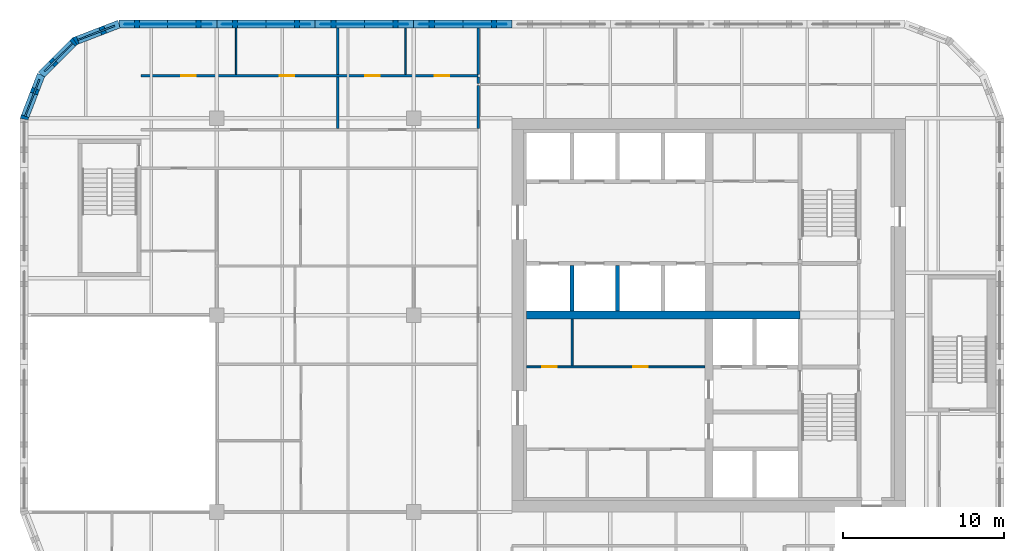
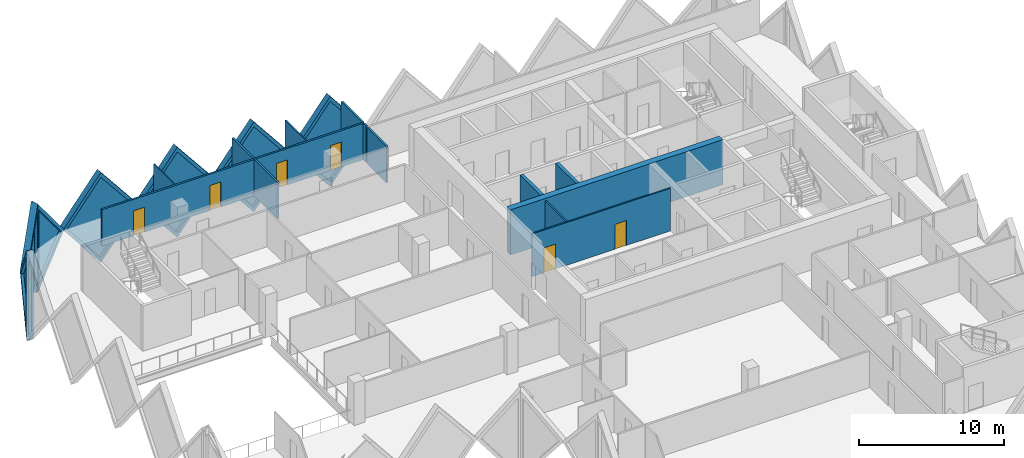
# One storey, part 8 of 12: 20 walls, 7 plates, 6 doors, 13 openings.
"""IFC4 building model written with IfcOpenShell, lengths in metres."""

from ifc_helpers import new_model, si_unit, direction, frame, frame_2d, origin, place, context, subcontext, project, spatial, polyline, rectangle, outline, extrude, faceted_brep, source, transform, mapped, material, layer, layer_set, type_object, element, fill, save


model = new_model("IFC4")

# Units and contexts
model_context = context("Model", 3, precision=1e-05, world=origin(), true_north=direction((0.0, 1.0)))
body_context = subcontext(model_context, "Body", "Model", "MODEL_VIEW")
ifc_project = project(units=[si_unit("LENGTHUNIT", "METRE"), si_unit("AREAUNIT", "SQUARE_METRE"), si_unit("VOLUMEUNIT", "CUBIC_METRE"), si_unit("PLANEANGLEUNIT", "RADIAN"), si_unit("MASSUNIT", "GRAM", prefix="KILO")], contexts=[model_context])

# Site, building, storey
site_placement = place(None, origin())
site = spatial("IfcSite", under=ifc_project, at=site_placement, CompositionType="ELEMENT")
building_placement = place(site_placement, origin())
building = spatial("IfcBuilding", under=site, at=building_placement, Name="Tessera Gate Towers", CompositionType="ELEMENT")
storey_placement = place(building_placement, frame((0.0, 0.0, 139.199951171875)))
storey = spatial("IfcBuildingStorey", under=building, at=storey_placement, Name="L34", CompositionType="ELEMENT", Elevation=139.199951171875)

# Walls
ifc_material_1 = material(Name="Concrete C40/50", Category="concrete")
ifc_layer_1 = layer(ifc_material_1, 0.25)
ifc_layer_set_1 = layer_set([ifc_layer_1], Name="CORE ENCLOSURE WALL 250")
wall_type_1 = type_object("IfcWallType", Name="CORE ENCLOSURE WALL 250", PredefinedType="SOLIDWALL", material=ifc_layer_set_1)
for number, where, z_axis, x_axis, name in (
    (1, (34.22509765625, 36.85009765625, 0.0), (0.0, 0.0, 1.0), (0.0, 1.0, 0.0), "L34 shaft and stair enclosure wall"),
    (2, (37.050048828125, 36.85009765625, 0.0), (0.0, 0.0, 1.0), (0.0, 1.0, 0.0), "L34 shaft and stair enclosure wall"),
):
    element("IfcWall", number, at=place(storey_placement, frame(where, z_axis=z_axis, x_axis=x_axis)), inside=storey, type_object=wall_type_1, Name=name, PredefinedType="SOLIDWALL", context=body_context, shape_type="SweptSolid", body=[
        extrude(rectangle(XDim=2.824951171875, YDim=0.25, at=frame_2d((1.41259765625, 0.0))), origin(), (0.0, 0.0, 1.0), 3.800048828125),
    ])

# Wall, openings, doors
ifc_material_2 = material(Name="Gypsum board on steel studs", Category="steel")
ifc_layer_2 = layer(ifc_material_2, 0.1201171875)
ifc_layer_set_2 = layer_set([ifc_layer_2], Name="CORE PARTITION 120")
wall_type_2 = type_object("IfcWallType", Name="CORE PARTITION 120", PredefinedType="PARTITIONING", material=ifc_layer_set_2)
wall_1_placement = place(storey_placement, frame((31.39990234375, 33.39990234375, 0.0), z_axis=(0.0, 0.0, 1.0), x_axis=(1.0, 0.0, 0.0)))
wall_1 = element("IfcWall", 3, at=wall_1_placement, inside=storey, type_object=wall_type_2, Name="L34 core partition", PredefinedType="PARTITIONING", context=body_context, shape_type="SweptSolid", body=[
    extrude(rectangle(XDim=11.050048828125, YDim=0.1201171875, at=frame_2d((5.52490234375, 0.0))), origin(), (0.0, 0.0, 1.0), 3.60009765625),
])
shared_shape_1 = source(origin(), body_context, "Body", "SweptSolid", [
    extrude(rectangle(XDim=0.89990234375, YDim=2.10009765625, at=frame_2d((0.449951171875, 1.050048828125))), frame((0.0, 0.070068359375, 0.0), z_axis=(0.0, -1.0, 0.0), x_axis=(1.0, 0.0, 0.0)), (0.0, 0.0, 1.0), 0.14013671875),
])
opening_1_placement = place(wall_1_placement, frame((0.96240234375, 0.0, 0.0)))
opening_1 = element("IfcOpeningElement", 4, at=opening_1_placement, cuts=wall_1, Name="Opening RD-T1-23-07", PredefinedType="OPENING", context=body_context, shape_type="MappedRepresentation", body=[
    mapped(shared_shape_1, transform((0.0, 0.0, 0.0), scale=1.0)),
])
opening_2_placement = place(wall_1_placement, frame((6.612548828125, 0.0, 0.0)))
opening_2 = element("IfcOpeningElement", 5, at=opening_2_placement, cuts=wall_1, Name="Opening RD-T1-23-08", PredefinedType="OPENING", context=body_context, shape_type="MappedRepresentation", body=[
    mapped(shared_shape_1, transform((0.0, 0.0, 0.0), scale=1.0)),
])
ifc_material_3 = material(Name="Hollow steel fire door", Category="steel")
door_type_1 = type_object("IfcDoorType", Name="CORE DOOR RD 900x2100", OperationType="NOTDEFINED", PredefinedType="DOOR", material=ifc_material_3)
shared_shape_2 = source(origin(), body_context, "Body", "SweptSolid", [
    extrude(rectangle(XDim=0.89990234375, YDim=2.10009765625, at=frame_2d((0.449951171875, 1.050048828125))), frame((0.0, 0.02490234375, 0.0), z_axis=(0.0, -1.0, 0.0), x_axis=(1.0, 0.0, 0.0)), (0.0, 0.0, 1.0), 0.050048828125),
])
door_1_placement = place(opening_1_placement, origin())
door_1 = element("IfcDoor", 6, at=door_1_placement, inside=storey, type_object=door_type_1, Name="Core room door", OperationType="SINGLE_SWING_LEFT", OverallHeight=2.10009765625, OverallWidth=0.89990234375, PredefinedType="DOOR", context=body_context, shape_type="MappedRepresentation", body=[
    mapped(shared_shape_2, transform((0.0, 0.0, 0.0), scale=1.0)),
])
fill(opening_1, door_1)
door_2_placement = place(opening_2_placement, origin())
door_2 = element("IfcDoor", 7, at=door_2_placement, inside=storey, type_object=door_type_1, Name="Core room door", OperationType="SINGLE_SWING_RIGHT", OverallHeight=2.10009765625, OverallWidth=0.89990234375, PredefinedType="DOOR", context=body_context, shape_type="MappedRepresentation", body=[
    mapped(shared_shape_2, transform((0.0, 0.0, 0.0), scale=1.0)),
])
fill(opening_2, door_2)

# Walls
wall_2_placement = place(storey_placement, frame((34.22509765625, 33.4599609375, 0.0), z_axis=(0.0, 0.0, 1.0), x_axis=(0.0, 1.0, 0.0)))
element("IfcWall", 8, at=wall_2_placement, inside=storey, type_object=wall_type_2, Name="L34 core partition", PredefinedType="PARTITIONING", context=body_context, shape_type="SweptSolid", body=[
    extrude(rectangle(XDim=2.89013671875, YDim=0.1201171875, at=frame_2d((1.445068359375, 0.0))), origin(), (0.0, 0.0, 1.0), 3.60009765625),
])
ifc_material_4 = material(Name="Concrete C60/75", Category="concrete")
ifc_layer_3 = layer(ifc_material_4, 0.5)
ifc_layer_set_3 = layer_set([ifc_layer_3], Name="CORE SPINE WALL 500 C60/75")
wall_type_3 = type_object("IfcWallType", Name="CORE SPINE WALL 500 C60/75", PredefinedType="SHEAR", material=ifc_layer_set_3)
wall_3_placement = place(storey_placement, frame((31.39990234375, 36.60009765625, 0.0), z_axis=(0.0, 0.0, 1.0), x_axis=(1.0, 0.0, 0.0)))
element("IfcWall", 9, at=wall_3_placement, inside=storey, type_object=wall_type_3, Name="Core wall spine L34", PredefinedType="SHEAR", context=body_context, shape_type="SweptSolid", body=[
    extrude(rectangle(XDim=16.9501953125, YDim=0.5, at=frame_2d((8.47509765625, 0.0))), origin(), (0.0, 0.0, 1.0), 3.800048828125),
])
ifc_material_5 = material(Name="Gypsum board on steel studs, mineral wool", Category="steel")
ifc_layer_4 = layer(ifc_material_5, 0.14990234375)
ifc_layer_set_4 = layer_set([ifc_layer_4], Name="CORRIDOR WALL 150")
wall_type_4 = type_object("IfcWallType", Name="CORRIDOR WALL 150", PredefinedType="PARTITIONING", material=ifc_layer_set_4)
wall_4_placement = place(storey_placement, frame((28.39990234375, 48.176025390625, 0.0), z_axis=(0.0, 0.0, 1.0), x_axis=(0.0, 1.0, 0.0)))
element("IfcWall", 10, at=wall_4_placement, inside=storey, type_object=wall_type_4, Name="T1-L34-PW-049", PredefinedType="PARTITIONING", context=body_context, shape_type="SweptSolid", body=[
    extrude(rectangle(XDim=2.64794921875, YDim=0.14990234375, at=frame_2d((1.323974609375, 0.0))), origin(), (0.0, 0.0, 1.0), 3.067138671875),
])
ifc_material_6 = material(Name="Gypsum board on steel studs", Category="steel")
ifc_layer_5 = layer(ifc_material_6, 0.10009765625)
ifc_layer_set_5 = layer_set([ifc_layer_5], Name="PARTITION 100")
wall_type_5 = type_object("IfcWallType", Name="PARTITION 100", PredefinedType="PARTITIONING", material=ifc_layer_set_5)
for number, where, z_axis, x_axis, name in (
    (11, (13.39404296875, 51.52587890625, 0.0), (0.0, 0.0, 1.0), (0.0, 1.0, 0.0), "T1-L34-PW-054"),
    (12, (23.903076171875, 51.52587890625, 0.0), (0.0, 0.0, 1.0), (0.0, 1.0, 0.0), "T1-L34-PW-056"),
):
    element("IfcWall", number, at=place(storey_placement, frame(where, z_axis=z_axis, x_axis=x_axis)), inside=storey, type_object=wall_type_5, Name=name, PredefinedType="PARTITIONING", context=body_context, shape_type="SweptSolid", body=[
        extrude(rectangle(XDim=2.8740234375, YDim=0.10009765625, at=frame_2d((1.43701171875, 0.0))), origin(), (0.0, 0.0, 1.0), 3.067138671875),
    ])
ifc_material_7 = material(Name="Gypsum board on steel studs, mineral wool", Category="steel")
ifc_layer_6 = layer(ifc_material_7, 0.14990234375)
ifc_layer_set_6 = layer_set([ifc_layer_6], Name="TENANCY WALL 150")
wall_type_6 = type_object("IfcWallType", Name="TENANCY WALL 150", PredefinedType="PARTITIONING", material=ifc_layer_set_6)
wall_5_placement = place(storey_placement, frame((19.699951171875, 48.176025390625, 0.0), z_axis=(0.0, 0.0, 1.0), x_axis=(0.0, 1.0, 0.0)))
element("IfcWall", 13, at=wall_5_placement, inside=storey, type_object=wall_type_6, Name="T1-L34-PW-048", PredefinedType="PARTITIONING", context=body_context, shape_type="SweptSolid", body=[
    extrude(rectangle(XDim=3.197998046875, YDim=0.14990234375, at=frame_2d((1.59912109375, 0.0))), origin(), (0.0, 0.0, 1.0), 3.067138671875),
])
wall_6_placement = place(storey_placement, frame((28.39990234375, 50.97607421875, 0.0), z_axis=(0.0, 0.0, 1.0), x_axis=(0.0, 1.0, 0.0)))
element("IfcWall", 14, at=wall_6_placement, inside=storey, type_object=wall_type_6, Name="T1-L34-PW-051", PredefinedType="PARTITIONING", context=body_context, shape_type="SweptSolid", body=[
    extrude(rectangle(XDim=0.39794921875, YDim=0.14990234375, at=frame_2d((0.198974609375, 0.0))), origin(), (0.0, 0.0, 1.0), 3.067138671875),
])

# Wall, openings, doors
wall_7_placement = place(storey_placement, frame((7.5, 51.449951171875, 0.0), z_axis=(0.0, 0.0, 1.0), x_axis=(1.0, 0.0, 0.0)))
wall_7 = element("IfcWall", 15, at=wall_7_placement, inside=storey, type_object=wall_type_6, Name="T1-L34-PW-053", PredefinedType="PARTITIONING", context=body_context, shape_type="SweptSolid", body=[
    extrude(rectangle(XDim=20.89990234375, YDim=0.14990234375, at=frame_2d((10.449951171875, 0.0))), origin(), (0.0, 0.0, 1.0), 3.067138671875),
])
shared_shape_3 = source(origin(), body_context, "Body", "SweptSolid", [
    extrude(rectangle(XDim=0.89990234375, YDim=2.10009765625, at=frame_2d((0.449951171875, 1.050048828125))), frame((0.0, 0.0849609375, 0.0), z_axis=(0.0, -1.0, 0.0), x_axis=(1.0, 0.0, 0.0)), (0.0, 0.0, 1.0), 0.169921875),
])
opening_3_placement = place(wall_7_placement, frame((13.90087890625, 0.0, 0.0)))
opening_3 = element("IfcOpeningElement", 16, at=opening_3_placement, cuts=wall_7, Name="Opening D190-A12-03", PredefinedType="OPENING", context=body_context, shape_type="MappedRepresentation", body=[
    mapped(shared_shape_3, transform((0.0, 0.0, 0.0), scale=1.0)),
])
opening_4_placement = place(wall_7_placement, frame((18.202880859375, 0.0, 0.0)))
opening_4 = element("IfcOpeningElement", 17, at=opening_4_placement, cuts=wall_7, Name="Opening D190-A12-06", PredefinedType="OPENING", context=body_context, shape_type="MappedRepresentation", body=[
    mapped(shared_shape_3, transform((0.0, 0.0, 0.0), scale=1.0)),
])
opening_5_placement = place(wall_7_placement, frame((2.5, 0.0, 0.0)))
opening_5 = element("IfcOpeningElement", 18, at=opening_5_placement, cuts=wall_7, Name="Opening D190-A12-11", PredefinedType="OPENING", context=body_context, shape_type="MappedRepresentation", body=[
    mapped(shared_shape_3, transform((0.0, 0.0, 0.0), scale=1.0)),
])
opening_6_placement = place(wall_7_placement, frame((8.59375, 0.0, 0.0)))
opening_6 = element("IfcOpeningElement", 19, at=opening_6_placement, cuts=wall_7, Name="Opening D190-A12-13", PredefinedType="OPENING", context=body_context, shape_type="MappedRepresentation", body=[
    mapped(shared_shape_3, transform((0.0, 0.0, 0.0), scale=1.0)),
])
ifc_material_8 = material(Name="Timber door leaf in steel frame", Category="steel")
door_type_2 = type_object("IfcDoorType", Name="INTERNAL DOOR 900 NOT RATED", OperationType="NOTDEFINED", PredefinedType="DOOR", material=ifc_material_8)
door_3_placement = place(opening_3_placement, origin())
door_3 = element("IfcDoor", 20, at=door_3_placement, inside=storey, type_object=door_type_2, Name="T1-L34-PD-004", OperationType="SINGLE_SWING_LEFT", OverallHeight=2.10009765625, OverallWidth=0.89990234375, PredefinedType="DOOR", context=body_context, shape_type="MappedRepresentation", body=[
    mapped(shared_shape_2, transform((0.0, 0.0, 0.0), scale=1.0)),
])
fill(opening_3, door_3)
door_4_placement = place(opening_4_placement, origin())
door_4 = element("IfcDoor", 21, at=door_4_placement, inside=storey, type_object=door_type_2, Name="T1-L34-PD-007", OperationType="SINGLE_SWING_LEFT", OverallHeight=2.10009765625, OverallWidth=0.89990234375, PredefinedType="DOOR", context=body_context, shape_type="MappedRepresentation", body=[
    mapped(shared_shape_2, transform((0.0, 0.0, 0.0), scale=1.0)),
])
fill(opening_4, door_4)
door_5_placement = place(opening_5_placement, origin())
door_5 = element("IfcDoor", 22, at=door_5_placement, inside=storey, type_object=door_type_2, Name="T1-L34-PD-016", OperationType="SINGLE_SWING_LEFT", OverallHeight=2.10009765625, OverallWidth=0.89990234375, PredefinedType="DOOR", context=body_context, shape_type="MappedRepresentation", body=[
    mapped(shared_shape_2, transform((0.0, 0.0, 0.0), scale=1.0)),
])
fill(opening_5, door_5)
door_6_placement = place(opening_6_placement, origin())
door_6 = element("IfcDoor", 23, at=door_6_placement, inside=storey, type_object=door_type_2, Name="T1-L34-PD-022", OperationType="SINGLE_SWING_LEFT", OverallHeight=2.10009765625, OverallWidth=0.89990234375, PredefinedType="DOOR", context=body_context, shape_type="MappedRepresentation", body=[
    mapped(shared_shape_2, transform((0.0, 0.0, 0.0), scale=1.0)),
])
fill(opening_6, door_6)

# Walls
for number, where, z_axis, x_axis, name in (
    (24, (19.699951171875, 51.52587890625, 0.0), (0.0, 0.0, 1.0), (0.0, 1.0, 0.0), "T1-L34-PW-055"),
    (25, (28.39990234375, 51.52587890625, 0.0), (0.0, 0.0, 1.0), (0.0, 1.0, 0.0), "T1-L34-PW-057"),
):
    element("IfcWall", number, at=place(storey_placement, frame(where, z_axis=z_axis, x_axis=x_axis)), inside=storey, type_object=wall_type_6, Name=name, PredefinedType="PARTITIONING", context=body_context, shape_type="SweptSolid", body=[
        extrude(rectangle(XDim=2.8740234375, YDim=0.14990234375, at=frame_2d((1.43701171875, 0.0))), origin(), (0.0, 0.0, 1.0), 3.067138671875),
    ])

# Wall, opening, plate
ifc_material_9 = material(Name="Precast concrete C60/75 white", Category="concrete")
ifc_layer_7 = layer(ifc_material_9, 0.5)
ifc_layer_set_7 = layer_set([ifc_layer_7], Name="TS1 tessera")
wall_type_7 = type_object("IfcWallType", Name="TS1 tessera", PredefinedType="SOLIDWALL", material=ifc_layer_set_7)
shared_shape_4 = source(origin(), body_context, "Body", "Brep", [
    faceted_brep([(3.050048828125, -0.25, 0.0), (6.099853515625, -0.25, 3.7998046875), (6.099853515625, -0.25, 3.80029296875), (3.050048828125, -0.25, 7.60009765625), (0.0, -0.25, 3.800048828125), (0.0, 0.25, 3.800048828125), (3.050048828125, 0.25, 7.60009765625), (6.099853515625, 0.25, 3.80029296875), (6.099853515625, 0.25, 3.7998046875), (3.050048828125, 0.25, 0.0)], [[[0, 1, 2, 3, 4]], [[5, 6, 7, 8, 9]], [[9, 8, 1, 0]], [[7, 6, 3, 2]], [[6, 5, 4, 3]], [[5, 9, 0, 4]], [[1, 8, 7, 2]]]),
])
wall_8_placement = place(storey_placement, frame((24.39990234375, 54.64990234375, -3.800048828125), z_axis=(0.0, 0.0, 1.0), x_axis=(-1.0, 0.0, 0.0)))
wall_8 = element("IfcWall", 26, at=wall_8_placement, inside=storey, type_object=wall_type_7, Name="Precast tessera T1 TS1-0590", PredefinedType="SOLIDWALL", context=body_context, shape_type="MappedRepresentation", body=[
    mapped(shared_shape_4, transform((0.0, 0.0, 0.0), scale=1.0)),
])
shared_shape_5 = source(origin(), body_context, "Body", "SweptSolid", [
    extrude(outline(polyline([(3.050048828125, 0.3994140625), (5.779541015625, 3.800048828125), (3.050048828125, 7.20068359375), (0.320556640625, 3.800048828125), (3.050048828125, 0.3994140625)])), frame((0.0, 0.260009765625, 0.0), z_axis=(0.0, -1.0, 0.0), x_axis=(1.0, 0.0, 0.0)), (0.0, 0.0, 1.0), 0.52001953125),
])
opening_7_placement = place(wall_8_placement, origin())
opening_7 = element("IfcOpeningElement", 27, at=opening_7_placement, cuts=wall_8, Name="Opening T1-PL2-1198", PredefinedType="OPENING", context=body_context, shape_type="MappedRepresentation", body=[
    mapped(shared_shape_5, transform((0.0, 0.0, 0.0), scale=1.0)),
])
ifc_material_10 = material(Name="Low-e laminated glass", Category="glass")
ifc_layer_8 = layer(ifc_material_10, 0.06005859375)
ifc_layer_set_8 = layer_set([ifc_layer_8], Name="PL2 rhombic pane")
plate_type = type_object("IfcPlateType", Name="PL2 rhombic pane", PredefinedType="SHEET", material=ifc_layer_set_8)
shared_shape_6 = source(origin(), body_context, "Body", "SweptSolid", [
    extrude(outline(polyline([(3.050048828125, 0.3994140625), (5.779541015625, 3.800048828125), (3.050048828125, 7.20068359375), (0.320556640625, 3.800048828125), (3.050048828125, 0.3994140625)])), frame((0.0, 0.030029296875, 0.0), z_axis=(0.0, -1.0, 0.0), x_axis=(1.0, 0.0, 0.0)), (0.0, 0.0, 1.0), 0.06005859375),
])
plate_1_placement = place(opening_7_placement, origin())
plate_1 = element("IfcPlate", 28, at=plate_1_placement, inside=storey, type_object=plate_type, Name="Glass pane T1 PL2-1198", PredefinedType="SHEET", context=body_context, shape_type="MappedRepresentation", body=[
    mapped(shared_shape_6, transform((0.0, 0.0, 0.0), scale=1.0)),
])
fill(opening_7, plate_1)

shared_shape_7 = source(origin(), body_context, "Body", "SweptSolid", [
    extrude(outline(polyline([(3.050048828125, 0.0), (6.10009765625, 3.800048828125), (3.050048828125, 7.60009765625), (0.0, 3.800048828125), (3.050048828125, 0.0)])), frame((0.0, 0.25, 0.0), z_axis=(0.0, -1.0, 0.0), x_axis=(1.0, 0.0, 0.0)), (0.0, 0.0, 1.0), 0.5),
])
wall_9_placement = place(storey_placement, frame((30.5, 54.64990234375, -3.800048828125), z_axis=(0.0, 0.0, 1.0), x_axis=(-1.0, 0.0, 0.0)))
wall_9 = element("IfcWall", 29, at=wall_9_placement, inside=storey, type_object=wall_type_7, Name="Precast tessera T1 TS1-0589", PredefinedType="SOLIDWALL", context=body_context, shape_type="MappedRepresentation", body=[
    mapped(shared_shape_7, transform((0.0, 0.0, 0.0), scale=1.0)),
])
opening_8_placement = place(wall_9_placement, origin())
opening_8 = element("IfcOpeningElement", 30, at=opening_8_placement, cuts=wall_9, Name="Opening T1-PL2-1197", PredefinedType="OPENING", context=body_context, shape_type="MappedRepresentation", body=[
    mapped(shared_shape_5, transform((0.0, 0.0, 0.0), scale=1.0)),
])
plate_2_placement = place(opening_8_placement, origin())
plate_2 = element("IfcPlate", 31, at=plate_2_placement, inside=storey, type_object=plate_type, Name="Glass pane T1 PL2-1197", PredefinedType="SHEET", context=body_context, shape_type="MappedRepresentation", body=[
    mapped(shared_shape_6, transform((0.0, 0.0, 0.0), scale=1.0)),
])
fill(opening_8, plate_2)

wall_10_placement = place(storey_placement, frame((18.300048828125, 54.64990234375, -3.800048828125), z_axis=(0.0, 0.0, 1.0), x_axis=(-1.0, 0.0, 0.0)))
wall_10 = element("IfcWall", 32, at=wall_10_placement, inside=storey, type_object=wall_type_7, Name="Precast tessera T1 TS1-0591", PredefinedType="SOLIDWALL", context=body_context, shape_type="MappedRepresentation", body=[
    mapped(shared_shape_7, transform((0.0, 0.0, 0.0), scale=1.0)),
])
opening_9_placement = place(wall_10_placement, origin())
opening_9 = element("IfcOpeningElement", 33, at=opening_9_placement, cuts=wall_10, Name="Opening T1-PL2-1199", PredefinedType="OPENING", context=body_context, shape_type="MappedRepresentation", body=[
    mapped(shared_shape_5, transform((0.0, 0.0, 0.0), scale=1.0)),
])
plate_3_placement = place(opening_9_placement, origin())
plate_3 = element("IfcPlate", 34, at=plate_3_placement, inside=storey, type_object=plate_type, Name="Glass pane T1 PL2-1199", PredefinedType="SHEET", context=body_context, shape_type="MappedRepresentation", body=[
    mapped(shared_shape_6, transform((0.0, 0.0, 0.0), scale=1.0)),
])
fill(opening_9, plate_3)

shared_shape_8 = source(origin(), body_context, "Body", "Brep", [
    faceted_brep([(3.050048828125, -0.25, 0.0), (6.053466796875, -0.25, 3.800048828125), (3.050048828125, -0.25, 7.60009765625), (0.0, -0.25, 3.800048828125), (0.0, 0.25, 3.800048828125), (3.050048828125, 0.25, 7.60009765625), (6.0068359375, 0.25, 3.85888671875), (6.0068359375, 0.25, 3.7412109375), (3.050048828125, 0.25, 0.0), (6.053466796875, 0.0, 3.800048828125)], [[[0, 1, 2, 3]], [[4, 5, 6, 7, 8]], [[8, 7, 9, 1, 0]], [[6, 5, 2, 1, 9]], [[5, 4, 3, 2]], [[4, 8, 0, 3]], [[9, 7, 6]]]),
])
wall_11_placement = place(storey_placement, frame((12.199951171875, 54.64990234375, -3.800048828125), z_axis=(0.0, 0.0, 1.0), x_axis=(-1.0, 0.0, 0.0)))
wall_11 = element("IfcWall", 35, at=wall_11_placement, inside=storey, type_object=wall_type_7, Name="Precast tessera T1 TS1-0592", PredefinedType="SOLIDWALL", context=body_context, shape_type="MappedRepresentation", body=[
    mapped(shared_shape_8, transform((0.0, 0.0, 0.0), scale=1.0)),
])
shared_shape_9 = source(origin(), body_context, "Body", "SweptSolid", [
    extrude(outline(polyline([(3.048583984375, 0.4013671875), (5.73486328125, 3.800048828125), (3.048583984375, 7.19873046875), (0.320556640625, 3.800048828125), (3.048583984375, 0.4013671875)])), frame((0.0, 0.260009765625, 0.0), z_axis=(0.0, -1.0, 0.0), x_axis=(1.0, 0.0, 0.0)), (0.0, 0.0, 1.0), 0.52001953125),
])
opening_10_placement = place(wall_11_placement, origin())
opening_10 = element("IfcOpeningElement", 36, at=opening_10_placement, cuts=wall_11, Name="Opening T1-PL2-1200", PredefinedType="OPENING", context=body_context, shape_type="MappedRepresentation", body=[
    mapped(shared_shape_9, transform((0.0, 0.0, 0.0), scale=1.0)),
])
shared_shape_10 = source(origin(), body_context, "Body", "SweptSolid", [
    extrude(outline(polyline([(3.048583984375, 0.4013671875), (5.73486328125, 3.800048828125), (3.048583984375, 7.19873046875), (0.320556640625, 3.800048828125), (3.048583984375, 0.4013671875)])), frame((0.0, 0.030029296875, 0.0), z_axis=(0.0, -1.0, 0.0), x_axis=(1.0, 0.0, 0.0)), (0.0, 0.0, 1.0), 0.06005859375),
])
plate_4_placement = place(opening_10_placement, origin())
plate_4 = element("IfcPlate", 37, at=plate_4_placement, inside=storey, type_object=plate_type, Name="Glass pane T1 PL2-1200", PredefinedType="SHEET", context=body_context, shape_type="MappedRepresentation", body=[
    mapped(shared_shape_10, transform((0.0, 0.0, 0.0), scale=1.0)),
])
fill(opening_10, plate_4)

ifc_material_11 = material(Name="Precast concrete C60/75 white", Category="concrete")
ifc_layer_9 = layer(ifc_material_11, 0.5)
ifc_layer_set_9 = layer_set([ifc_layer_9], Name="TS3 corner tessera")
wall_type_8 = type_object("IfcWallType", Name="TS3 corner tessera", PredefinedType="SOLIDWALL", material=ifc_layer_set_9)
shared_shape_11 = source(origin(), body_context, "Body", "Brep", [
    faceted_brep([(2.950439453125, -0.25, 0.0), (3.00341796875, -0.25, 0.068359375), (3.00341796875, -0.25, 7.53173828125), (2.950439453125, -0.25, 7.60009765625), (0.0, -0.25, 3.800048828125), (0.046630859375, 0.25, 3.860107421875), (2.897705078125, 0.25, 7.531982421875), (2.897705078125, 0.25, 0.068115234375), (0.046630859375, 0.25, 3.739990234375), (2.950439453125, 0.00048828125, 0.0), (2.950439453125, 0.00048828125, 7.60009765625), (0.0, 0.0, 3.800048828125)], [[[0, 1, 2, 3, 4]], [[5, 6, 7, 8]], [[1, 0, 9]], [[10, 3, 2]], [[6, 5, 11, 4, 3, 10]], [[8, 7, 9, 0, 4, 11]], [[8, 11, 5]], [[1, 9, 7, 6, 10, 2]]]),
])
wall_12_placement = place(storey_placement, frame((6.146484375, 54.64990234375, -3.800048828125), z_axis=(0.0, 0.0, 1.0), x_axis=(-0.932997369089, -0.359883188373, 0.0)))
wall_12 = element("IfcWall", 38, at=wall_12_placement, inside=storey, type_object=wall_type_8, Name="Precast corner tessera T1 TS3-0777", PredefinedType="SOLIDWALL", context=body_context, shape_type="MappedRepresentation", body=[
    mapped(shared_shape_11, transform((0.0, 0.0, 0.0), scale=1.0)),
])
shared_shape_12 = source(origin(), body_context, "Body", "SweptSolid", [
    extrude(outline(polyline([(2.75048828125, 6.934814453125), (0.31640625, 3.800048828125), (2.75048828125, 0.665283203125), (2.75048828125, 6.934814453125)])), frame((0.0, 0.260009765625, 0.0), z_axis=(0.0, -1.0, 0.0), x_axis=(1.0, 0.0, 0.0)), (0.0, 0.0, 1.0), 0.52001953125),
])
opening_11_placement = place(wall_12_placement, origin())
opening_11 = element("IfcOpeningElement", 39, at=opening_11_placement, cuts=wall_12, Name="Opening T1-PL2-1201", PredefinedType="OPENING", context=body_context, shape_type="MappedRepresentation", body=[
    mapped(shared_shape_12, transform((0.0, 0.0, 0.0), scale=1.0)),
])
shared_shape_13 = source(origin(), body_context, "Body", "SweptSolid", [
    extrude(outline(polyline([(2.75048828125, 6.934814453125), (0.31640625, 3.800048828125), (2.75048828125, 0.665283203125), (2.75048828125, 6.934814453125)])), frame((0.0, 0.030029296875, 0.0), z_axis=(0.0, -1.0, 0.0), x_axis=(1.0, 0.0, 0.0)), (0.0, 0.0, 1.0), 0.06005859375),
])
plate_5_placement = place(opening_11_placement, origin())
plate_5 = element("IfcPlate", 40, at=plate_5_placement, inside=storey, type_object=plate_type, Name="Glass pane T1 PL2-1201", PredefinedType="SHEET", context=body_context, shape_type="MappedRepresentation", body=[
    mapped(shared_shape_13, transform((0.0, 0.0, 0.0), scale=1.0)),
])
fill(opening_11, plate_5)

shared_shape_14 = source(origin(), body_context, "Body", "Brep", [
    faceted_brep([(0.052978515625, -0.25, 0.0), (2.9970703125, -0.25, 3.800048828125), (0.052978515625, -0.25, 7.60009765625), (0.0, -0.25, 7.531982421875), (0.0, -0.25, 0.068115234375), (0.10595703125, 0.25, 7.53173828125), (2.944091796875, 0.25, 3.8681640625), (2.944091796875, 0.25, 3.73193359375), (0.10595703125, 0.25, 0.068359375), (2.9970703125, 0.000244140625, 3.800048828125), (0.052978515625, 0.0, 0.0), (0.052978515625, 0.0, 7.60009765625)], [[[0, 1, 2, 3, 4]], [[5, 6, 7, 8]], [[8, 7, 9, 1, 0, 10]], [[6, 5, 11, 2, 1, 9]], [[3, 2, 11]], [[10, 0, 4]], [[8, 10, 4, 3, 11, 5]], [[9, 7, 6]]]),
])
wall_13_placement = place(storey_placement, frame((3.43115234375, 53.62548828125, -3.800048828125), z_axis=(0.0, 0.0, 1.0), x_axis=(-0.707106781187, -0.707106781187, 0.0)))
wall_13 = element("IfcWall", 41, at=wall_13_placement, inside=storey, type_object=wall_type_8, Name="Precast corner tessera T1 TS3-0778", PredefinedType="SOLIDWALL", context=body_context, shape_type="MappedRepresentation", body=[
    mapped(shared_shape_14, transform((0.0, 0.0, 0.0), scale=1.0)),
])
shared_shape_15 = source(origin(), body_context, "Body", "SweptSolid", [
    extrude(outline(polyline([(0.2529296875, 0.66650390625), (2.680908203125, 3.800048828125), (0.2529296875, 6.933837890625), (0.2529296875, 0.66650390625)])), frame((0.0, 0.260009765625, 0.0), z_axis=(0.0, -1.0, 0.0), x_axis=(1.0, 0.0, 0.0)), (0.0, 0.0, 1.0), 0.52001953125),
])
opening_12_placement = place(wall_13_placement, origin())
opening_12 = element("IfcOpeningElement", 42, at=opening_12_placement, cuts=wall_13, Name="Opening T1-PL2-1202", PredefinedType="OPENING", context=body_context, shape_type="MappedRepresentation", body=[
    mapped(shared_shape_15, transform((0.0, 0.0, 0.0), scale=1.0)),
])
shared_shape_16 = source(origin(), body_context, "Body", "SweptSolid", [
    extrude(outline(polyline([(0.2529296875, 0.66650390625), (2.680908203125, 3.800048828125), (0.2529296875, 6.933837890625), (0.2529296875, 0.66650390625)])), frame((0.0, 0.030029296875, 0.0), z_axis=(0.0, -1.0, 0.0), x_axis=(1.0, 0.0, 0.0)), (0.0, 0.0, 1.0), 0.06005859375),
])
plate_6_placement = place(opening_12_placement, origin())
plate_6 = element("IfcPlate", 43, at=plate_6_placement, inside=storey, type_object=plate_type, Name="Glass pane T1 PL2-1202", PredefinedType="SHEET", context=body_context, shape_type="MappedRepresentation", body=[
    mapped(shared_shape_16, transform((0.0, 0.0, 0.0), scale=1.0)),
])
fill(opening_12, plate_6)

shared_shape_17 = source(origin(), body_context, "Body", "Brep", [
    faceted_brep([(2.950439453125, -0.25, 0.0), (2.9970703125, -0.25, 0.05908203125), (2.9970703125, -0.25, 7.541015625), (2.950439453125, -0.25, 7.60009765625), (0.0, -0.25, 3.800048828125), (0.052978515625, 0.25, 3.8681640625), (2.904052734375, 0.25, 7.540283203125), (2.904052734375, 0.25, 0.059814453125), (0.052978515625, 0.25, 3.73193359375), (2.950439453125, 0.00048828125, 0.0), (2.950439453125, 0.00048828125, 7.60009765625), (0.0, 0.0, 3.800048828125)], [[[0, 1, 2, 3, 4]], [[5, 6, 7, 8]], [[1, 0, 9]], [[10, 3, 2]], [[6, 5, 11, 4, 3, 10]], [[8, 7, 9, 0, 4, 11]], [[8, 11, 5]], [[1, 9, 7, 6, 10, 2]]]),
])
wall_14_placement = place(storey_placement, frame((1.31201171875, 51.50634765625, -3.800048828125), z_axis=(0.0, 0.0, 1.0), x_axis=(-0.359944998003, -0.932973525033, 0.0)))
wall_14 = element("IfcWall", 44, at=wall_14_placement, inside=storey, type_object=wall_type_8, Name="Precast corner tessera T1 TS3-0779", PredefinedType="SOLIDWALL", context=body_context, shape_type="MappedRepresentation", body=[
    mapped(shared_shape_17, transform((0.0, 0.0, 0.0), scale=1.0)),
])
opening_13_placement = place(wall_14_placement, origin())
opening_13 = element("IfcOpeningElement", 45, at=opening_13_placement, cuts=wall_14, Name="Opening T1-PL2-1203", PredefinedType="OPENING", context=body_context, shape_type="MappedRepresentation", body=[
    mapped(shared_shape_12, transform((0.0, 0.0, 0.0), scale=1.0)),
])
plate_7_placement = place(opening_13_placement, origin())
plate_7 = element("IfcPlate", 46, at=plate_7_placement, inside=storey, type_object=plate_type, Name="Glass pane T1 PL2-1203", PredefinedType="SHEET", context=body_context, shape_type="MappedRepresentation", body=[
    mapped(shared_shape_13, transform((0.0, 0.0, 0.0), scale=1.0)),
])
fill(opening_13, plate_7)

save(model, "model.ifc")
